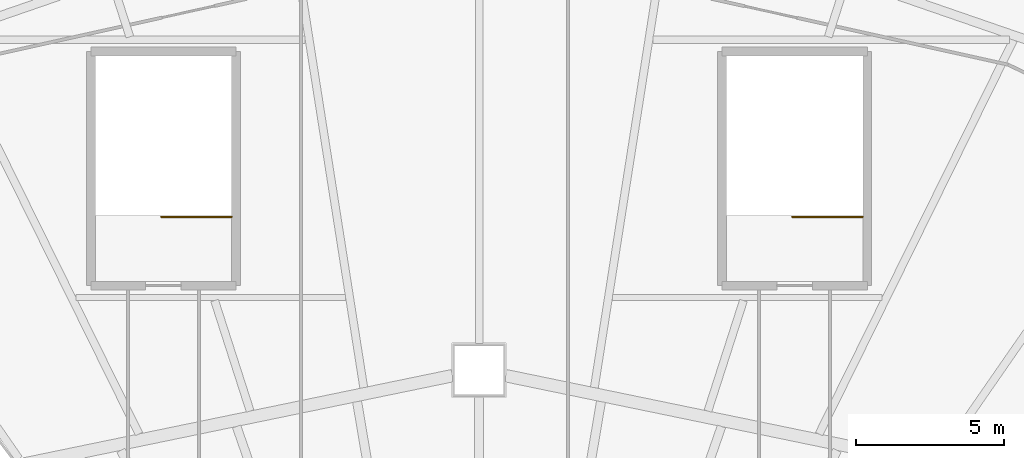
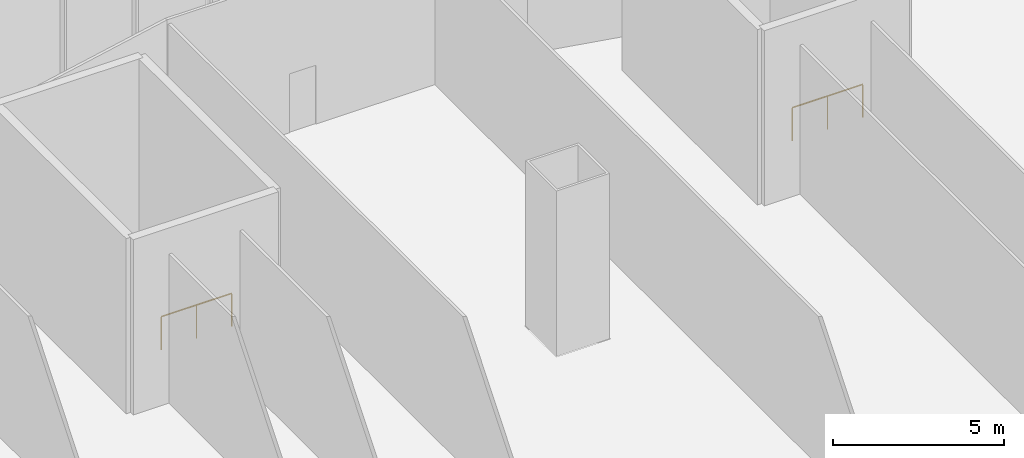
# One storey, part 33 of 33: 2 railings.
"""IFC4 building model written with IfcOpenShell, lengths in metres."""

from ifc_helpers import new_model, si_unit, direction, frame, origin, origin_2d, place, context, subcontext, project, spatial, circle, extrude, material, type_object, element, save


model = new_model("IFC4")

# Units and contexts
model_context = context("Model", 3, precision=1e-05, world=origin(), true_north=direction((0.0, 1.0)))
body_context = subcontext(model_context, "Body", "Model", "MODEL_VIEW")
ifc_project = project(units=[si_unit("LENGTHUNIT", "METRE"), si_unit("AREAUNIT", "SQUARE_METRE"), si_unit("VOLUMEUNIT", "CUBIC_METRE"), si_unit("PLANEANGLEUNIT", "RADIAN"), si_unit("MASSUNIT", "GRAM", prefix="KILO")], contexts=[model_context])

# Site, building, storey
site_placement = place(None, origin())
site = spatial("IfcSite", under=ifc_project, at=site_placement, CompositionType="ELEMENT")
building_placement = place(site_placement, origin())
building = spatial("IfcBuilding", under=site, at=building_placement, Name="Sahrelin Media Tower", CompositionType="ELEMENT")
storey_placement = place(building_placement, frame((0.0, 0.0, 37.39990234375)))
storey = spatial("IfcBuildingStorey", under=building, at=storey_placement, Name="L05", CompositionType="ELEMENT", Elevation=37.39990234375)

# Railings
ifc_material = material(Name="Steel S355", Category="steel")
railing_type = type_object("IfcRailingType", Name="Stair guard 1200", PredefinedType="GUARDRAIL", material=ifc_material)
for number, where, name in (
    (1, (12.949951171875, 30.574951171875, 0.0), "L05 PS1 top well guard 1"),
    (2, (-8.35009765625, 30.574951171875, 0.0), "L05 PS2 top well guard 1"),
):
    element("IfcRailing", number, at=place(storey_placement, frame(where)), inside=storey, type_object=railing_type, Name=name, PredefinedType="GUARDRAIL", context=body_context, shape_type="SweptSolid", body=[
        extrude(circle(Radius=0.02392578125, at=origin_2d()), frame((0.0, 0.0, 1.17578125), z_axis=(-1.0, 0.0, 0.0), x_axis=(0.0, -1.0, 0.0)), (0.0, 0.0, 1.0), 2.375),
        extrude(circle(Radius=0.02099609375, at=origin_2d()), origin(), (0.0, 0.0, 1.0), 1.15185546875),
        extrude(circle(Radius=0.02099609375, at=origin_2d()), frame((-1.1875, 0.0, 0.0)), (0.0, 0.0, 1.0), 1.15185546875),
        extrude(circle(Radius=0.02099609375, at=origin_2d()), frame((-2.375, 0.0, 0.0)), (0.0, 0.0, 1.0), 1.15185546875),
    ])

save(model, "model.ifc")
